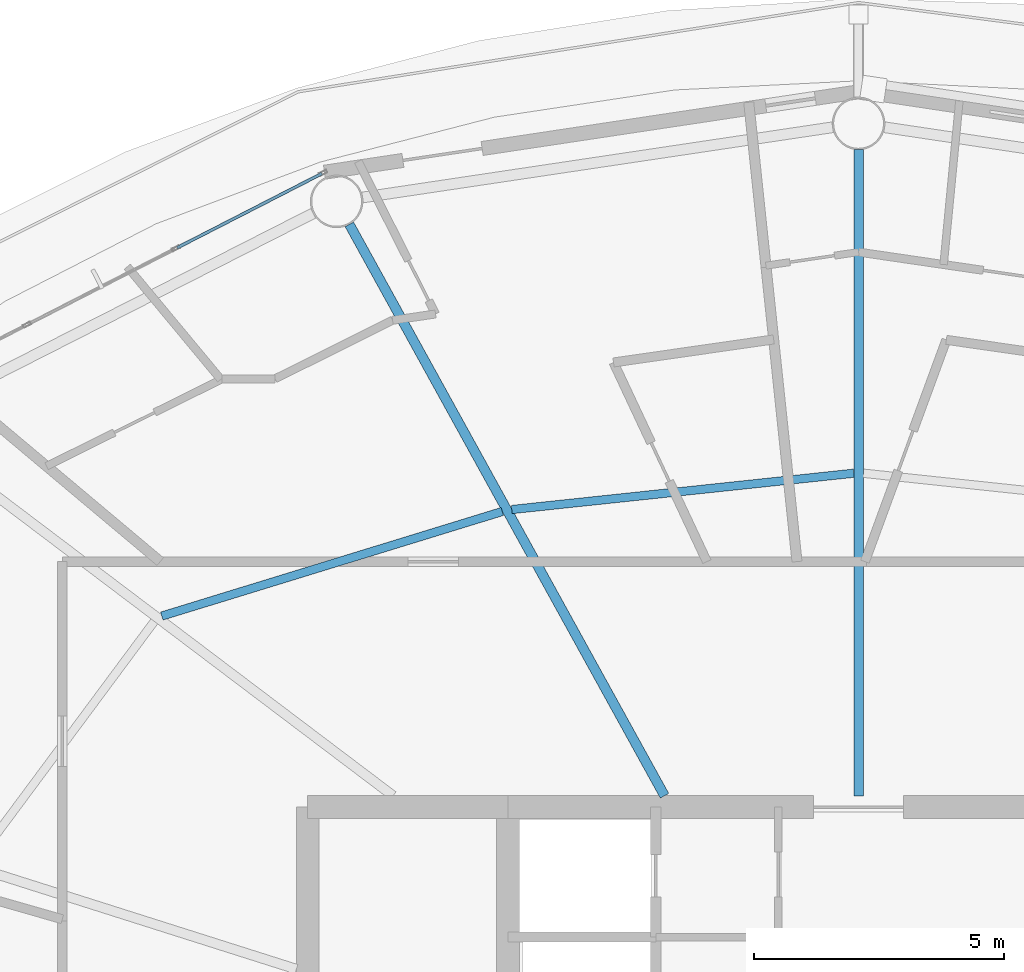
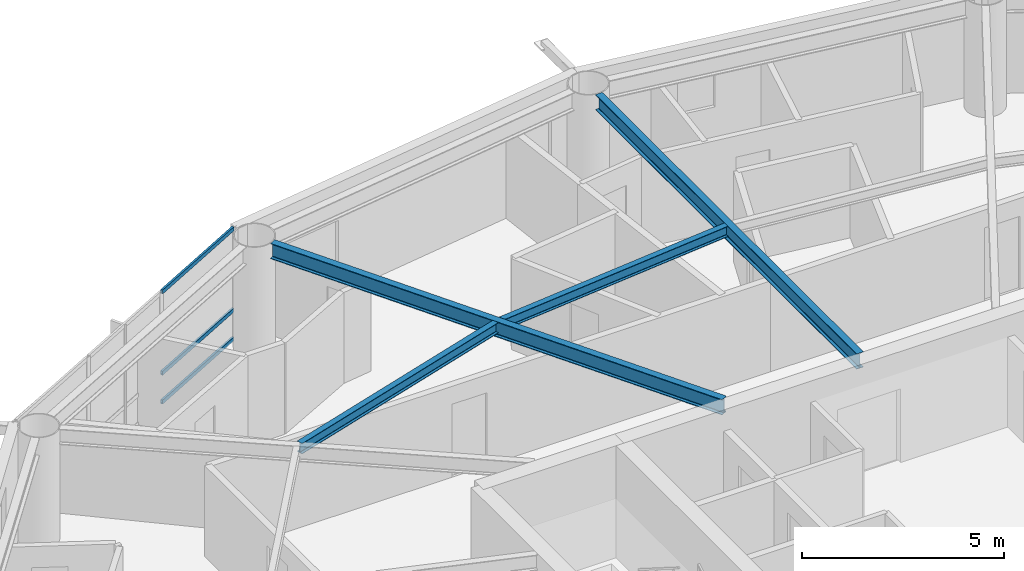
# One storey, part 12 of 28: 4 beams, 3 members, 1 element without a shape of its own.
"""IFC4 building model written with IfcOpenShell, lengths in metres."""

from ifc_helpers import new_model, si_unit, direction, frame, origin, origin_2d, place, context, subcontext, project, spatial, hollow_rectangle, i_section, extrude, material, layer, layer_set, material_profile, profile_set, type_object, element, aggregate, save


model = new_model("IFC4")

# Units and contexts
model_context = context("Model", 3, precision=1e-05, world=origin(), true_north=direction((0.0, 1.0)))
body_context = subcontext(model_context, "Body", "Model", "MODEL_VIEW")
ifc_project = project(units=[si_unit("LENGTHUNIT", "METRE"), si_unit("AREAUNIT", "SQUARE_METRE"), si_unit("VOLUMEUNIT", "CUBIC_METRE"), si_unit("PLANEANGLEUNIT", "RADIAN"), si_unit("MASSUNIT", "GRAM", prefix="KILO")], contexts=[model_context])

# Site, building, storey
site_placement = place(None, origin())
site = spatial("IfcSite", under=ifc_project, at=site_placement, CompositionType="ELEMENT")
building_placement = place(site_placement, origin())
building = spatial("IfcBuilding", under=site, at=building_placement, Name="Sarneth Arch Tower", CompositionType="ELEMENT")
storey_placement = place(building_placement, frame((0.0, 0.0, 172.199951171875)))
storey = spatial("IfcBuildingStorey", under=building, at=storey_placement, Name="L43", CompositionType="ELEMENT", Elevation=172.199951171875)

# Beams
ifc_material_1 = material(Name="Steel S355", Category="steel")
ifc_material_profile_1 = material_profile(ifc_material_1, i_section(OverallWidth=0.1669921875, OverallDepth=0.31689453125, WebThickness=0.007568359375, FlangeThickness=0.01318359375, FilletRadius=0.012939453125, at=origin_2d()), Name="W310x52")
ifc_profile_set_1 = profile_set([ifc_material_profile_1], Name="Steel S355")
beam_type_1 = type_object("IfcBeamType", Name="BM-JOIST-310B", PredefinedType="JOIST", material=ifc_profile_set_1)
beam_1_placement = place(storey_placement, frame((47.904052734375, 55.46484375, 3.221435546875), z_axis=(-0.994407831942, -0.105608066799, 0.0), x_axis=(0.105608066799, -0.994407831942, 0.0)))
element("IfcBeam", 1, at=beam_1_placement, inside=storey, type_object=beam_type_1, Name="L43 Secondary floor joist 05", PredefinedType="JOIST", context=body_context, shape_type="SweptSolid", body=[
    extrude(i_section(OverallWidth=0.1669921875, OverallDepth=0.31689453125, WebThickness=0.007568359375, FlangeThickness=0.01318359375, FilletRadius=0.012939453125, at=origin_2d()), origin(), (0.0, 0.0, 1.0), 6.8681640625),
])
beam_2_placement = place(storey_placement, frame((40.885986328125, 54.700927734375, 3.221435546875), z_axis=(-0.955929549608, -0.293596144707, 0.0), x_axis=(0.293596144707, -0.955929549608, 0.0)))
element("IfcBeam", 2, at=beam_2_placement, inside=storey, type_object=beam_type_1, Name="L43 Secondary floor joist 06", PredefinedType="JOIST", context=body_context, shape_type="SweptSolid", body=[
    extrude(i_section(OverallWidth=0.1669921875, OverallDepth=0.31689453125, WebThickness=0.007568359375, FlangeThickness=0.01318359375, FilletRadius=0.012939453125, at=origin_2d()), origin(), (0.0, 0.0, 1.0), 7.1123046875),
])
ifc_material_2 = material(Name="Steel S355", Category="steel")
ifc_material_profile_2 = material_profile(ifc_material_2, i_section(OverallWidth=0.193115234375, OverallDepth=0.466064453125, WebThickness=0.011474609375, FlangeThickness=0.01904296875, FilletRadius=0.01806640625, at=origin_2d()), Name="W460x97")
ifc_profile_set_2 = profile_set([ifc_material_profile_2], Name="Steel S355")
beam_type_2 = type_object("IfcBeamType", Name="BM-RAD-460C", PredefinedType="BEAM", material=ifc_profile_set_2)
beam_3_placement = place(storey_placement, frame((48.0, 49.02490234375, 3.14697265625), z_axis=(0.0, 1.0, 0.0), x_axis=(-1.0, 0.0, 0.0)))
element("IfcBeam", 3, at=beam_3_placement, inside=storey, type_object=beam_type_2, Name="L43 Radial floor girder 05", PredefinedType="BEAM", context=body_context, shape_type="SweptSolid", body=[
    extrude(i_section(OverallWidth=0.193115234375, OverallDepth=0.466064453125, WebThickness=0.011474609375, FlangeThickness=0.01904296875, FilletRadius=0.01806640625, at=origin_2d()), origin(), (0.0, 0.0, 1.0), 12.900146484375),
])
beam_4_placement = place(storey_placement, frame((44.125, 49.02490234375, 3.14697265625), z_axis=(-0.483004525121, 0.87561785541, 0.0), x_axis=(-0.87561785541, -0.483004525121, 0.0)))
element("IfcBeam", 4, at=beam_4_placement, inside=storey, type_object=beam_type_2, Name="L43 Radial floor girder 06", PredefinedType="BEAM", context=body_context, shape_type="SweptSolid", body=[
    extrude(i_section(OverallWidth=0.193115234375, OverallDepth=0.466064453125, WebThickness=0.011474609375, FlangeThickness=0.01904296875, FilletRadius=0.01806640625, at=origin_2d()), origin(), (0.0, 0.0, 1.0), 13.029296875),
])

# Curtain wall, members
ifc_material_3 = material(Name="Anodised aluminium Type AA25 and solar-control low-e laminated IGU", Category="aluminium")
ifc_layer = layer(ifc_material_3, 0.169921875)
ifc_layer_set = layer_set([ifc_layer], Name="Anodised aluminium Type AA25 and solar-control low-e laminated IGU")
curtain_wall_type = type_object("IfcCurtainWallType", Name="CW-RES-MID", PredefinedType="NOTDEFINED", material=ifc_layer_set)
curtain_wall_placement = place(storey_placement, origin())
curtain_wall = element("IfcCurtainWall", 5, at=curtain_wall_placement, inside=storey, type_object=curtain_wall_type, Name="L43 Unitised curtain wall facet 06", PredefinedType="NOTDEFINED")
ifc_material_4 = material(Name="Anodised Aluminium 6063-T6", Category="aluminium")
ifc_material_profile_3 = material_profile(ifc_material_4, hollow_rectangle(XDim=0.06005859375, YDim=0.1201171875, WallThickness=0.00390625, at=origin_2d()), Name="AL-TRAN-120x60x4")
ifc_profile_set_3 = profile_set([ifc_material_profile_3], Name="Anodised Aluminium 6063-T6")
member_type = type_object("IfcMemberType", Name="CW-TRANSOM", PredefinedType="USERDEFINED", material=ifc_profile_set_3)
member_1_placement = place(storey_placement, frame((37.28369140625, 61.447998046875, 0.030029296875), z_axis=(-0.889857362344, -0.456238835131, 0.0), x_axis=(0.456238835131, -0.889857362344, 0.0)))
member_1 = element("IfcMember", 6, at=member_1_placement, type_object=member_type, Name="CW-SYS-5 transom 1.1", ObjectType="TRANSOM", PredefinedType="USERDEFINED", context=body_context, shape_type="SweptSolid", body=[
    extrude(hollow_rectangle(XDim=0.06005859375, YDim=0.1201171875, WallThickness=0.00390625, at=origin_2d()), origin(), (0.0, 0.0, 1.0), 3.248779296875),
])
member_2_placement = place(storey_placement, frame((37.28369140625, 61.447998046875, 0.900146484375), z_axis=(-0.889857362344, -0.456238835131, 0.0), x_axis=(0.456238835131, -0.889857362344, 0.0)))
member_2 = element("IfcMember", 7, at=member_2_placement, type_object=member_type, Name="CW-SYS-5 transom 1.2", ObjectType="TRANSOM", PredefinedType="USERDEFINED", context=body_context, shape_type="SweptSolid", body=[
    extrude(hollow_rectangle(XDim=0.06005859375, YDim=0.1201171875, WallThickness=0.00390625, at=origin_2d()), origin(), (0.0, 0.0, 1.0), 3.248779296875),
])
member_3_placement = place(storey_placement, frame((37.28369140625, 61.447998046875, 3.35009765625), z_axis=(-0.889857362344, -0.456238835131, 0.0), x_axis=(0.456238835131, -0.889857362344, 0.0)))
member_3 = element("IfcMember", 8, at=member_3_placement, type_object=member_type, Name="CW-SYS-5 transom 1.3", ObjectType="TRANSOM", PredefinedType="USERDEFINED", context=body_context, shape_type="SweptSolid", body=[
    extrude(hollow_rectangle(XDim=0.06005859375, YDim=0.1201171875, WallThickness=0.00390625, at=origin_2d()), origin(), (0.0, 0.0, 1.0), 3.248779296875),
])
aggregate(curtain_wall, [member_1, member_2, member_3])

save(model, "model.ifc")
